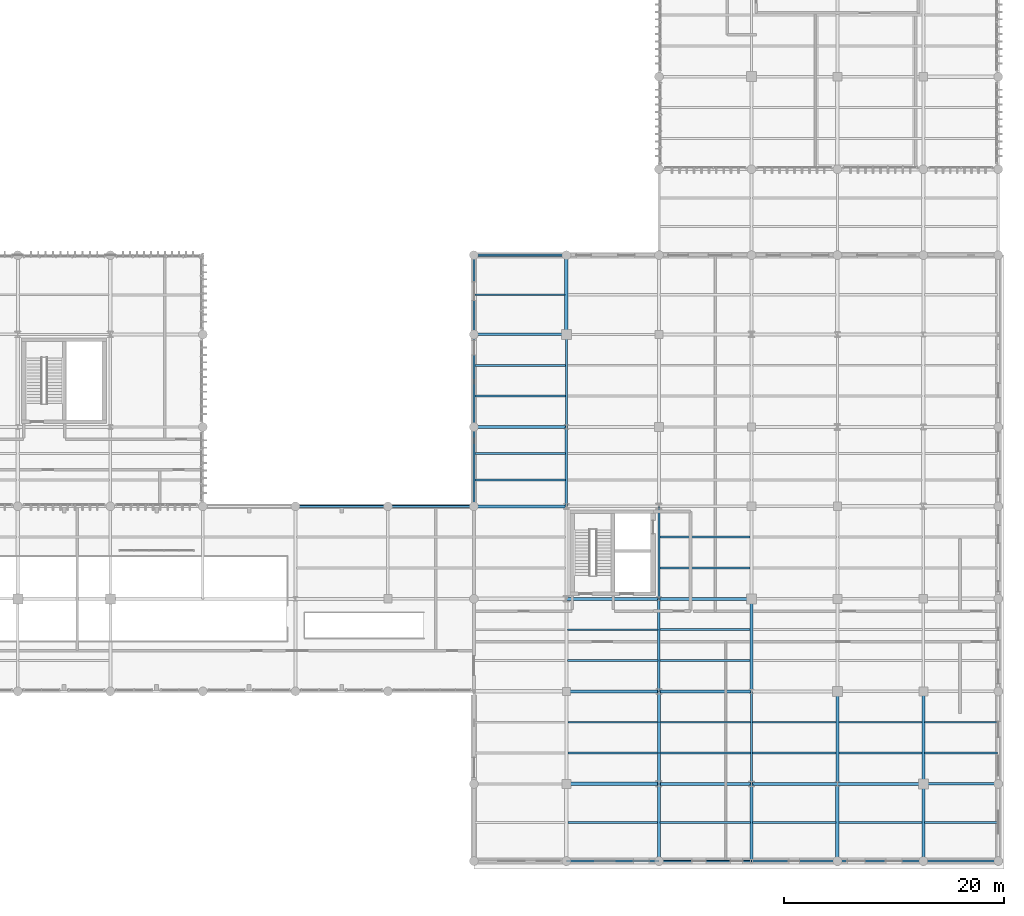
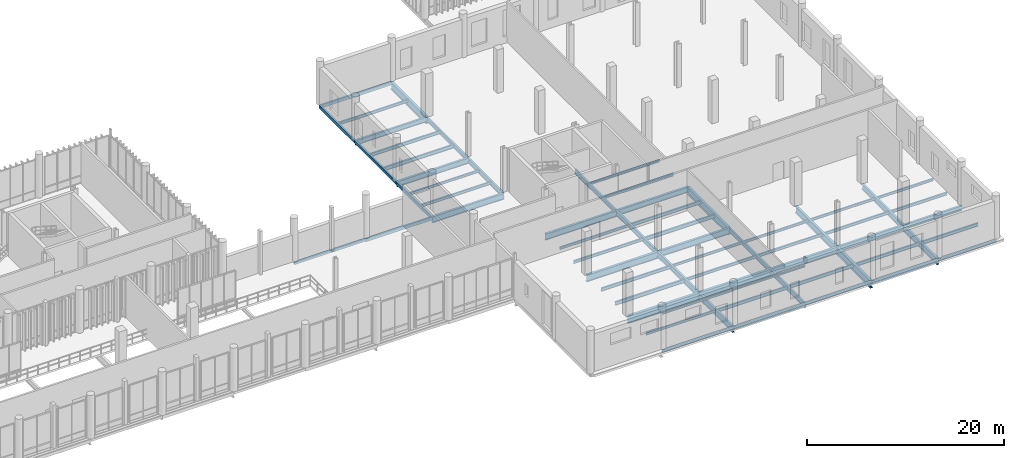
# One storey, part 69 of 128: 65 beams.
"""IFC4 building model written with IfcOpenShell, lengths in metres."""

from ifc_helpers import new_model, si_unit, direction, frame, origin_with_axes, origin_2d_with_axis, place, context, subcontext, project, spatial, hollow_rectangle, i_section, extrude, material, material_profile, profile_set, type_object, element, save


model = new_model("IFC4")

# Units and contexts
model_context = context("Model", 3, precision=1e-05, world=origin_with_axes(), true_north=direction((0.0, 1.0)))
body_context = subcontext(model_context, "Body", "Model", "MODEL_VIEW")
ifc_project = project(units=[si_unit("LENGTHUNIT", "METRE"), si_unit("AREAUNIT", "SQUARE_METRE"), si_unit("VOLUMEUNIT", "CUBIC_METRE"), si_unit("PLANEANGLEUNIT", "RADIAN"), si_unit("MASSUNIT", "GRAM", prefix="KILO"), si_unit("THERMODYNAMICTEMPERATUREUNIT", "KELVIN")], contexts=[model_context])

# Site, building, storey
site_placement = place(None, origin_with_axes())
site = spatial("IfcSite", under=ifc_project, at=site_placement, CompositionType="ELEMENT")
building_placement = place(site_placement, origin_with_axes())
building = spatial("IfcBuilding", under=site, at=building_placement, Name="Montbau Bow Law Courts", CompositionType="ELEMENT")
storey_placement = place(building_placement, frame((0.0, 0.0, 5.4), z_axis=(0.0, 0.0, 1.0), x_axis=(1.0, 0.0, 0.0)))
storey = spatial("IfcBuildingStorey", under=building, at=storey_placement, Name="L01", CompositionType="ELEMENT", Elevation=5.4)

# Beams
ifc_material_1 = material(Name="Steel CSA G40.21 Grade 350W (350 MPa)", Category="steel")
ifc_material_profile_1 = material_profile(ifc_material_1, i_section(OverallWidth=0.306, OverallDepth=0.919, WebThickness=0.0173, FlangeThickness=0.0279, at=origin_2d_with_axis()), Name="W920X253", Category="Main", Priority=0)
ifc_profile_set_1 = profile_set([ifc_material_profile_1], Name="Steel CSA G40.21 Grade 350W (350 MPa)")
beam_type_1 = type_object("IfcBeamType", Name="B-FLR-01", PredefinedType="BEAM", material=ifc_profile_set_1)
beam_1_placement = place(None, frame((130.2, 13.8, 4.7), z_axis=(1.0, 0.0, 0.0), x_axis=(0.0, 1.0, 0.0)))
element("IfcBeam", 1, at=beam_1_placement, inside=storey, type_object=beam_type_1, Name="BM-L01-S1446:bm2_1449", PredefinedType="BEAM", context=body_context, shape_type="SweptSolid", body=[
    extrude(i_section(OverallWidth=0.306, OverallDepth=0.919, WebThickness=0.0173, FlangeThickness=0.0279, at=origin_2d_with_axis()), origin_with_axes(), (0.0, 0.0, 1.0), 8.4),
])
beam_2_placement = place(None, frame((130.2, 54.6, 4.7), z_axis=(0.0, 1.0, 0.0), x_axis=(-1.0, 0.0, 0.0)))
element("IfcBeam", 2, at=beam_2_placement, inside=storey, type_object=beam_type_1, Name="BM-L01-S1494:bm2_1497", PredefinedType="BEAM", context=body_context, shape_type="SweptSolid", body=[
    extrude(i_section(OverallWidth=0.306, OverallDepth=0.919, WebThickness=0.0173, FlangeThickness=0.0279, at=origin_2d_with_axis()), origin_with_axes(), (0.0, 0.0, 1.0), 7.2),
])
beam_3_placement = place(None, frame((147.0, 22.2, 4.7), z_axis=(0.0, 1.0, 0.0), x_axis=(-1.0, 0.0, 0.0)))
element("IfcBeam", 3, at=beam_3_placement, inside=storey, type_object=beam_type_1, Name="BM-L01-S1504:bm2_1507", PredefinedType="BEAM", context=body_context, shape_type="SweptSolid", body=[
    extrude(i_section(OverallWidth=0.306, OverallDepth=0.919, WebThickness=0.0173, FlangeThickness=0.0279, at=origin_2d_with_axis()), origin_with_axes(), (0.0, 0.0, 1.0), 8.4),
])
beam_4_placement = place(None, frame((154.8, 6.8, 4.691), z_axis=(0.0, 1.0, 0.0), x_axis=(-1.0, 0.0, 0.0)))
element("IfcBeam", 4, at=beam_4_placement, inside=storey, type_object=beam_type_1, Name="BM-L01-S1509:bm2_1512", PredefinedType="BEAM", context=body_context, shape_type="SweptSolid", body=[
    extrude(i_section(OverallWidth=0.306, OverallDepth=0.919, WebThickness=0.0173, FlangeThickness=0.0279, at=origin_2d_with_axis()), origin_with_axes(), (0.0, 0.0, 1.0), 7.0),
])
ifc_material_profile_2 = material_profile(ifc_material_1, i_section(OverallWidth=0.293, OverallDepth=0.846, WebThickness=0.0154, FlangeThickness=0.0244, at=origin_2d_with_axis()), Name="W840X210", Category="Main", Priority=0)
ifc_profile_set_2 = profile_set([ifc_material_profile_2], Name="Steel CSA G40.21 Grade 350W (350 MPa)")
beam_type_2 = type_object("IfcBeamType", Name="B-FLR-02", PredefinedType="BEAM", material=ifc_profile_set_2)
for number, where, z_axis, x_axis, name in (
    (5, (138.6, 13.8, 4.737), (1.0, 0.0, 0.0), (0.0, 1.0, 0.0), "BM-L01-S1447:bm2_1450"),
    (6, (130.2, 22.2, 4.737), (1.0, 0.0, 0.0), (0.0, 1.0, 0.0), "BM-L01-S1452:bm2_1455"),
    (7, (154.8, 13.8, 4.737), (0.0, 1.0, 0.0), (-1.0, 0.0, 0.0), "BM-L01-S1510:bm2_1513"),
):
    element("IfcBeam", number, at=place(None, frame(where, z_axis=z_axis, x_axis=x_axis)), inside=storey, type_object=beam_type_2, Name=name, PredefinedType="BEAM", context=body_context, shape_type="SweptSolid", body=[
        extrude(i_section(OverallWidth=0.293, OverallDepth=0.846, WebThickness=0.0154, FlangeThickness=0.0244, at=origin_2d_with_axis()), origin_with_axes(), (0.0, 0.0, 1.0), 8.4),
    ])
ifc_material_profile_3 = material_profile(ifc_material_1, i_section(OverallWidth=0.267, OverallDepth=0.766, WebThickness=0.0149, FlangeThickness=0.0236, at=origin_2d_with_axis()), Name="W760X185", Category="Main", Priority=0)
ifc_profile_set_3 = profile_set([ifc_material_profile_3], Name="Steel CSA G40.21 Grade 350W (350 MPa)")
beam_type_3 = type_object("IfcBeamType", Name="B-FLR-03", PredefinedType="BEAM", material=ifc_profile_set_3)
beam_5_placement = place(None, frame((147.0, 13.8, 4.777), z_axis=(1.0, 0.0, 0.0), x_axis=(0.0, 1.0, 0.0)))
element("IfcBeam", 8, at=beam_5_placement, inside=storey, type_object=beam_type_3, Name="BM-L01-S1448:bm2_1451", PredefinedType="BEAM", context=body_context, shape_type="SweptSolid", body=[
    extrude(i_section(OverallWidth=0.267, OverallDepth=0.766, WebThickness=0.0149, FlangeThickness=0.0236, at=origin_2d_with_axis()), origin_with_axes(), (0.0, 0.0, 1.0), 7.8),
])
for number, where, z_axis, x_axis, name in (
    (9, (138.6, 22.2, 4.777), (1.0, 0.0, 0.0), (0.0, 1.0, 0.0), "BM-L01-S1453:bm2_1456"),
    (10, (130.2, 30.6, 4.777), (1.0, 0.0, 0.0), (0.0, 1.0, 0.0), "BM-L01-S1458:bm2_1461"),
    (11, (121.8, 39.0, 4.777), (1.0, 0.0, 0.0), (0.0, 1.0, 0.0), "BM-L01-S1463:bm2_1466"),
):
    element("IfcBeam", number, at=place(None, frame(where, z_axis=z_axis, x_axis=x_axis)), inside=storey, type_object=beam_type_3, Name=name, PredefinedType="BEAM", context=body_context, shape_type="SweptSolid", body=[
        extrude(i_section(OverallWidth=0.267, OverallDepth=0.766, WebThickness=0.0149, FlangeThickness=0.0236, at=origin_2d_with_axis()), origin_with_axes(), (0.0, 0.0, 1.0), 8.4),
    ])
for number, where, z_axis, x_axis, name in (
    (12, (138.6, 6.8, 4.767), (0.0, 1.0, 0.0), (-1.0, 0.0, 0.0), "BM-L01-S1495:bm2_1498"),
    (13, (162.6, 6.8, 4.767), (0.0, 1.0, 0.0), (-1.0, 0.0, 0.0), "BM-L01-S1516:bm2_1519"),
):
    element("IfcBeam", number, at=place(None, frame(where, z_axis=z_axis, x_axis=x_axis)), inside=storey, type_object=beam_type_3, Name=name, PredefinedType="BEAM", context=body_context, shape_type="SweptSolid", body=[
        extrude(i_section(OverallWidth=0.267, OverallDepth=0.766, WebThickness=0.0149, FlangeThickness=0.0236, at=origin_2d_with_axis()), origin_with_axes(), (0.0, 0.0, 1.0), 7.0),
    ])
ifc_material_profile_4 = material_profile(ifc_material_1, i_section(OverallWidth=0.254, OverallDepth=0.688, WebThickness=0.0131, FlangeThickness=0.0211, at=origin_2d_with_axis()), Name="W690X152", Category="Main", Priority=0)
ifc_profile_set_4 = profile_set([ifc_material_profile_4], Name="Steel CSA G40.21 Grade 350W (350 MPa)")
beam_type_4 = type_object("IfcBeamType", Name="B-FLR-04", PredefinedType="BEAM", material=ifc_profile_set_4)
beam_6_placement = place(None, frame((154.8, 13.8, 4.816), z_axis=(1.0, 0.0, 0.0), x_axis=(0.0, 1.0, 0.0)))
element("IfcBeam", 14, at=beam_6_placement, inside=storey, type_object=beam_type_4, Name="BM-L01-S1449:bm2_1452", PredefinedType="BEAM", context=body_context, shape_type="SweptSolid", body=[
    extrude(i_section(OverallWidth=0.254, OverallDepth=0.688, WebThickness=0.0131, FlangeThickness=0.0211, at=origin_2d_with_axis()), origin_with_axes(), (0.0, 0.0, 1.0), 7.8),
])
for number, where, z_axis, x_axis, name in (
    (15, (138.6, 30.6, 4.816), (1.0, 0.0, 0.0), (0.0, 1.0, 0.0), "BM-L01-S1459:bm2_1462"),
    (16, (121.8, 46.2, 4.816), (1.0, 0.0, 0.0), (0.0, 1.0, 0.0), "BM-L01-S1469:bm2_1472"),
    (17, (138.6, 13.8, 4.816), (0.0, 1.0, 0.0), (-1.0, 0.0, 0.0), "BM-L01-S1496:bm2_1499"),
    (18, (162.6, 13.8, 4.816), (0.0, 1.0, 0.0), (-1.0, 0.0, 0.0), "BM-L01-S1517:bm2_1520"),
):
    element("IfcBeam", number, at=place(None, frame(where, z_axis=z_axis, x_axis=x_axis)), inside=storey, type_object=beam_type_4, Name=name, PredefinedType="BEAM", context=body_context, shape_type="SweptSolid", body=[
        extrude(i_section(OverallWidth=0.254, OverallDepth=0.688, WebThickness=0.0131, FlangeThickness=0.0211, at=origin_2d_with_axis()), origin_with_axes(), (0.0, 0.0, 1.0), 8.4),
    ])
ifc_material_profile_5 = material_profile(ifc_material_1, i_section(OverallWidth=0.229, OverallDepth=0.612, WebThickness=0.0119, FlangeThickness=0.0196, at=origin_2d_with_axis()), Name="W610X125", Category="Main", Priority=0)
ifc_profile_set_5 = profile_set([ifc_material_profile_5], Name="Steel CSA G40.21 Grade 350W (350 MPa)")
beam_type_5 = type_object("IfcBeamType", Name="B-FLR-05", PredefinedType="BEAM", material=ifc_profile_set_5)
beam_7_placement = place(None, frame((162.6, 13.8, 4.844), z_axis=(1.0, 0.0, 0.0), x_axis=(0.0, 1.0, 0.0)))
element("IfcBeam", 19, at=beam_7_placement, inside=storey, type_object=beam_type_5, Name="BM-L01-S1450:bm2_1453", PredefinedType="BEAM", context=body_context, shape_type="SweptSolid", body=[
    extrude(i_section(OverallWidth=0.229, OverallDepth=0.612, WebThickness=0.0119, FlangeThickness=0.0196, at=origin_2d_with_axis()), origin_with_axes(), (0.0, 0.0, 1.0), 6.8),
])
beam_8_placement = place(None, frame((121.8, 54.6, 4.854), z_axis=(1.0, 0.0, 0.0), x_axis=(0.0, 1.0, 0.0)))
element("IfcBeam", 20, at=beam_8_placement, inside=storey, type_object=beam_type_5, Name="BM-L01-S1475:bm2_1478", PredefinedType="BEAM", context=body_context, shape_type="SweptSolid", body=[
    extrude(i_section(OverallWidth=0.229, OverallDepth=0.612, WebThickness=0.0119, FlangeThickness=0.0196, at=origin_2d_with_axis()), origin_with_axes(), (0.0, 0.0, 1.0), 8.4),
])
beam_9_placement = place(None, frame((130.2, 39.0, 4.854), z_axis=(0.0, 1.0, 0.0), x_axis=(-1.0, 0.0, 0.0)))
element("IfcBeam", 21, at=beam_9_placement, inside=storey, type_object=beam_type_5, Name="BM-L01-S1492:bm2_1495", PredefinedType="BEAM", context=body_context, shape_type="SweptSolid", body=[
    extrude(i_section(OverallWidth=0.229, OverallDepth=0.612, WebThickness=0.0119, FlangeThickness=0.0196, at=origin_2d_with_axis()), origin_with_axes(), (0.0, 0.0, 1.0), 7.2),
])
beam_10_placement = place(None, frame((138.6, 22.2, 4.854), z_axis=(0.0, 1.0, 0.0), x_axis=(-1.0, 0.0, 0.0)))
element("IfcBeam", 22, at=beam_10_placement, inside=storey, type_object=beam_type_5, Name="BM-L01-S1497:bm2_1500", PredefinedType="BEAM", context=body_context, shape_type="SweptSolid", body=[
    extrude(i_section(OverallWidth=0.229, OverallDepth=0.612, WebThickness=0.0119, FlangeThickness=0.0196, at=origin_2d_with_axis()), origin_with_axes(), (0.0, 0.0, 1.0), 8.4),
])
beam_11_placement = place(None, frame((147.0, 6.8, 4.844), z_axis=(0.0, 1.0, 0.0), x_axis=(-1.0, 0.0, 0.0)))
element("IfcBeam", 23, at=beam_11_placement, inside=storey, type_object=beam_type_5, Name="BM-L01-S1502:bm2_1505", PredefinedType="BEAM", context=body_context, shape_type="SweptSolid", body=[
    extrude(i_section(OverallWidth=0.229, OverallDepth=0.612, WebThickness=0.0119, FlangeThickness=0.0196, at=origin_2d_with_axis()), origin_with_axes(), (0.0, 0.0, 1.0), 7.0),
])
ifc_material_profile_6 = material_profile(ifc_material_1, i_section(OverallWidth=0.21, OverallDepth=0.537, WebThickness=0.0109, FlangeThickness=0.0174, at=origin_2d_with_axis()), Name="W530X101", Category="Main", Priority=0)
ifc_profile_set_6 = profile_set([ifc_material_profile_6], Name="Steel CSA G40.21 Grade 350W (350 MPa)")
beam_type_6 = type_object("IfcBeamType", Name="B-FLR-06", PredefinedType="BEAM", material=ifc_profile_set_6)
for number, where, z_axis, x_axis, name in (
    (24, (130.2, 46.2, 4.891), (0.0, 1.0, 0.0), (-1.0, 0.0, 0.0), "BM-L01-S1493:bm2_1496"),
    (25, (138.6, 30.6, 4.891), (0.0, 1.0, 0.0), (-1.0, 0.0, 0.0), "BM-L01-S1498:bm2_1501"),
    (26, (147.0, 13.8, 4.891), (0.0, 1.0, 0.0), (-1.0, 0.0, 0.0), "BM-L01-S1503:bm2_1506"),
):
    element("IfcBeam", number, at=place(None, frame(where, z_axis=z_axis, x_axis=x_axis)), inside=storey, type_object=beam_type_6, Name=name, PredefinedType="BEAM", context=body_context, shape_type="SweptSolid", body=[
        extrude(i_section(OverallWidth=0.21, OverallDepth=0.537, WebThickness=0.0109, FlangeThickness=0.0174, at=origin_2d_with_axis()), origin_with_axes(), (0.0, 0.0, 1.0), 8.4),
    ])
ifc_material_profile_7 = material_profile(ifc_material_1, i_section(OverallWidth=0.191, OverallDepth=0.46, WebThickness=0.0099, FlangeThickness=0.016, at=origin_2d_with_axis()), Name="W460X82", Category="Main", Priority=0)
ifc_profile_set_7 = profile_set([ifc_material_profile_7], Name="Steel CSA G40.21 Grade 350W (350 MPa)")
beam_type_7 = type_object("IfcBeamType", Name="B-JST-01", PredefinedType="JOIST", material=ifc_profile_set_7)
beam_12_placement = place(None, frame((121.88, 49.0, 4.93), z_axis=(1.0, 0.0, 0.0), x_axis=(0.0, 1.0, 0.0)))
element("IfcBeam", 27, at=beam_12_placement, inside=storey, type_object=beam_type_7, Name="JST-L01-S0816:jst2_0816", PredefinedType="JOIST", context=body_context, shape_type="SweptSolid", body=[
    extrude(i_section(OverallWidth=0.191, OverallDepth=0.46, WebThickness=0.0099, FlangeThickness=0.016, at=origin_2d_with_axis()), origin_with_axes(), (0.0, 0.0, 1.0), 8.239),
])
beam_13_placement = place(None, frame((130.322, 16.6, 4.93), z_axis=(1.0, 0.0, 0.0), x_axis=(0.0, 1.0, 0.0)))
element("IfcBeam", 28, at=beam_13_placement, inside=storey, type_object=beam_type_7, Name="JST-L01-S0820:jst2_0820", PredefinedType="JOIST", context=body_context, shape_type="SweptSolid", body=[
    extrude(i_section(OverallWidth=0.191, OverallDepth=0.46, WebThickness=0.0099, FlangeThickness=0.016, at=origin_2d_with_axis()), origin_with_axes(), (0.0, 0.0, 1.0), 8.175),
])
beam_14_placement = place(None, frame((138.69, 25.0, 4.93), z_axis=(1.0, 0.0, 0.0), x_axis=(0.0, 1.0, 0.0)))
element("IfcBeam", 29, at=beam_14_placement, inside=storey, type_object=beam_type_7, Name="JST-L01-S0832:jst2_0832", PredefinedType="JOIST", context=body_context, shape_type="SweptSolid", body=[
    extrude(i_section(OverallWidth=0.191, OverallDepth=0.46, WebThickness=0.0099, FlangeThickness=0.016, at=origin_2d_with_axis()), origin_with_axes(), (0.0, 0.0, 1.0), 8.181),
])
ifc_material_profile_8 = material_profile(ifc_material_1, i_section(OverallWidth=0.179, OverallDepth=0.41, WebThickness=0.0088, FlangeThickness=0.0144, at=origin_2d_with_axis()), Name="W410X67", Category="Main", Priority=0)
ifc_profile_set_8 = profile_set([ifc_material_profile_8], Name="Steel CSA G40.21 Grade 350W (350 MPa)")
beam_type_8 = type_object("IfcBeamType", Name="B-JST-02", PredefinedType="JOIST", material=ifc_profile_set_8)
beam_15_placement = place(None, frame((121.88, 51.8, 4.955), z_axis=(1.0, 0.0, 0.0), x_axis=(0.0, 1.0, 0.0)))
element("IfcBeam", 30, at=beam_15_placement, inside=storey, type_object=beam_type_8, Name="JST-L01-S0817:jst2_0817", PredefinedType="JOIST", context=body_context, shape_type="SweptSolid", body=[
    extrude(i_section(OverallWidth=0.179, OverallDepth=0.41, WebThickness=0.0088, FlangeThickness=0.0144, at=origin_2d_with_axis()), origin_with_axes(), (0.0, 0.0, 1.0), 8.239),
])
beam_16_placement = place(None, frame((130.322, 19.4, 4.955), z_axis=(1.0, 0.0, 0.0), x_axis=(0.0, 1.0, 0.0)))
element("IfcBeam", 31, at=beam_16_placement, inside=storey, type_object=beam_type_8, Name="JST-L01-S0821:jst2_0821", PredefinedType="JOIST", context=body_context, shape_type="SweptSolid", body=[
    extrude(i_section(OverallWidth=0.179, OverallDepth=0.41, WebThickness=0.0088, FlangeThickness=0.0144, at=origin_2d_with_axis()), origin_with_axes(), (0.0, 0.0, 1.0), 8.175),
])
beam_17_placement = place(None, frame((138.709, 10.3, 4.945), z_axis=(1.0, 0.0, 0.0), x_axis=(0.0, 1.0, 0.0)))
element("IfcBeam", 32, at=beam_17_placement, inside=storey, type_object=beam_type_8, Name="JST-L01-S0829:jst2_0829", PredefinedType="JOIST", context=body_context, shape_type="SweptSolid", body=[
    extrude(i_section(OverallWidth=0.179, OverallDepth=0.41, WebThickness=0.0088, FlangeThickness=0.0144, at=origin_2d_with_axis()), origin_with_axes(), (0.0, 0.0, 1.0), 8.201),
])
beam_18_placement = place(None, frame((138.69, 27.8, 4.955), z_axis=(1.0, 0.0, 0.0), x_axis=(0.0, 1.0, 0.0)))
element("IfcBeam", 33, at=beam_18_placement, inside=storey, type_object=beam_type_8, Name="JST-L01-S0833:jst2_0833", PredefinedType="JOIST", context=body_context, shape_type="SweptSolid", body=[
    extrude(i_section(OverallWidth=0.179, OverallDepth=0.41, WebThickness=0.0088, FlangeThickness=0.0144, at=origin_2d_with_axis()), origin_with_axes(), (0.0, 0.0, 1.0), 8.181),
])
beam_19_placement = place(None, frame((147.09, 10.3, 4.945), z_axis=(1.0, 0.0, 0.0), x_axis=(0.0, 1.0, 0.0)))
element("IfcBeam", 34, at=beam_19_placement, inside=storey, type_object=beam_type_8, Name="JST-L01-S0841:jst2_0841", PredefinedType="JOIST", context=body_context, shape_type="SweptSolid", body=[
    extrude(i_section(OverallWidth=0.179, OverallDepth=0.41, WebThickness=0.0088, FlangeThickness=0.0144, at=origin_2d_with_axis()), origin_with_axes(), (0.0, 0.0, 1.0), 7.581),
])
beam_20_placement = place(None, frame((154.929, 10.3, 4.945), z_axis=(1.0, 0.0, 0.0), x_axis=(0.0, 1.0, 0.0)))
element("IfcBeam", 35, at=beam_20_placement, inside=storey, type_object=beam_type_8, Name="JST-L01-S0853:jst2_0853", PredefinedType="JOIST", context=body_context, shape_type="SweptSolid", body=[
    extrude(i_section(OverallWidth=0.179, OverallDepth=0.41, WebThickness=0.0088, FlangeThickness=0.0144, at=origin_2d_with_axis()), origin_with_axes(), (0.0, 0.0, 1.0), 7.561),
])
beam_21_placement = place(None, frame((162.709, 10.3, 4.945), z_axis=(1.0, 0.0, 0.0), x_axis=(0.0, 1.0, 0.0)))
element("IfcBeam", 36, at=beam_21_placement, inside=storey, type_object=beam_type_8, Name="JST-L01-S0865:jst2_0865", PredefinedType="JOIST", context=body_context, shape_type="SweptSolid", body=[
    extrude(i_section(OverallWidth=0.179, OverallDepth=0.41, WebThickness=0.0088, FlangeThickness=0.0144, at=origin_2d_with_axis()), origin_with_axes(), (0.0, 0.0, 1.0), 6.611),
])
ifc_material_profile_9 = material_profile(ifc_material_1, i_section(OverallWidth=0.172, OverallDepth=0.358, WebThickness=0.0079, FlangeThickness=0.0131, at=origin_2d_with_axis()), Name="W360X57", Category="Main", Priority=0)
ifc_profile_set_9 = profile_set([ifc_material_profile_9], Name="Steel CSA G40.21 Grade 350W (350 MPa)")
beam_type_9 = type_object("IfcBeamType", Name="B-JST-03", PredefinedType="JOIST", material=ifc_profile_set_9)
beam_22_placement = place(None, frame((121.88, 41.4, 4.981), z_axis=(1.0, 0.0, 0.0), x_axis=(0.0, 1.0, 0.0)))
element("IfcBeam", 37, at=beam_22_placement, inside=storey, type_object=beam_type_9, Name="JST-L01-S0814:jst2_0814", PredefinedType="JOIST", context=body_context, shape_type="SweptSolid", body=[
    extrude(i_section(OverallWidth=0.172, OverallDepth=0.358, WebThickness=0.0079, FlangeThickness=0.0131, at=origin_2d_with_axis()), origin_with_axes(), (0.0, 0.0, 1.0), 8.229),
])
beam_23_placement = place(None, frame((121.88, 58.2, 4.981), z_axis=(1.0, 0.0, 0.0), x_axis=(0.0, 1.0, 0.0)))
element("IfcBeam", 38, at=beam_23_placement, inside=storey, type_object=beam_type_9, Name="JST-L01-S0818:jst2_0818", PredefinedType="JOIST", context=body_context, shape_type="SweptSolid", body=[
    extrude(i_section(OverallWidth=0.172, OverallDepth=0.358, WebThickness=0.0079, FlangeThickness=0.0131, at=origin_2d_with_axis()), origin_with_axes(), (0.0, 0.0, 1.0), 8.191),
])
beam_24_placement = place(None, frame((130.309, 25.0, 4.981), z_axis=(1.0, 0.0, 0.0), x_axis=(0.0, 1.0, 0.0)))
element("IfcBeam", 39, at=beam_24_placement, inside=storey, type_object=beam_type_9, Name="JST-L01-S0822:jst2_0822", PredefinedType="JOIST", context=body_context, shape_type="SweptSolid", body=[
    extrude(i_section(OverallWidth=0.172, OverallDepth=0.358, WebThickness=0.0079, FlangeThickness=0.0131, at=origin_2d_with_axis()), origin_with_axes(), (0.0, 0.0, 1.0), 8.201),
])
beam_25_placement = place(None, frame((138.703, 16.6, 4.981), z_axis=(1.0, 0.0, 0.0), x_axis=(0.0, 1.0, 0.0)))
element("IfcBeam", 40, at=beam_25_placement, inside=storey, type_object=beam_type_9, Name="JST-L01-S0830:jst2_0830", PredefinedType="JOIST", context=body_context, shape_type="SweptSolid", body=[
    extrude(i_section(OverallWidth=0.172, OverallDepth=0.358, WebThickness=0.0079, FlangeThickness=0.0131, at=origin_2d_with_axis()), origin_with_axes(), (0.0, 0.0, 1.0), 8.216),
])
beam_26_placement = place(None, frame((138.681, 33.4, 4.981), z_axis=(1.0, 0.0, 0.0), x_axis=(0.0, 1.0, 0.0)))
element("IfcBeam", 41, at=beam_26_placement, inside=storey, type_object=beam_type_9, Name="JST-L01-S0834:jst2_0834", PredefinedType="JOIST", context=body_context, shape_type="SweptSolid", body=[
    extrude(i_section(OverallWidth=0.172, OverallDepth=0.358, WebThickness=0.0079, FlangeThickness=0.0131, at=origin_2d_with_axis()), origin_with_axes(), (0.0, 0.0, 1.0), 8.196),
])
beam_27_placement = place(None, frame((147.081, 16.6, 4.981), z_axis=(1.0, 0.0, 0.0), x_axis=(0.0, 1.0, 0.0)))
element("IfcBeam", 42, at=beam_27_placement, inside=storey, type_object=beam_type_9, Name="JST-L01-S0842:jst2_0842", PredefinedType="JOIST", context=body_context, shape_type="SweptSolid", body=[
    extrude(i_section(OverallWidth=0.172, OverallDepth=0.358, WebThickness=0.0079, FlangeThickness=0.0131, at=origin_2d_with_axis()), origin_with_axes(), (0.0, 0.0, 1.0), 7.597),
])
beam_28_placement = place(None, frame((154.923, 16.6, 4.981), z_axis=(1.0, 0.0, 0.0), x_axis=(0.0, 1.0, 0.0)))
element("IfcBeam", 43, at=beam_28_placement, inside=storey, type_object=beam_type_9, Name="JST-L01-S0854:jst2_0854", PredefinedType="JOIST", context=body_context, shape_type="SweptSolid", body=[
    extrude(i_section(OverallWidth=0.172, OverallDepth=0.358, WebThickness=0.0079, FlangeThickness=0.0131, at=origin_2d_with_axis()), origin_with_axes(), (0.0, 0.0, 1.0), 7.574),
])
beam_29_placement = place(None, frame((162.703, 16.6, 4.971), z_axis=(1.0, 0.0, 0.0), x_axis=(0.0, 1.0, 0.0)))
element("IfcBeam", 44, at=beam_29_placement, inside=storey, type_object=beam_type_9, Name="JST-L01-S0866:jst2_0866", PredefinedType="JOIST", context=body_context, shape_type="SweptSolid", body=[
    extrude(i_section(OverallWidth=0.172, OverallDepth=0.358, WebThickness=0.0079, FlangeThickness=0.0131, at=origin_2d_with_axis()), origin_with_axes(), (0.0, 0.0, 1.0), 6.617),
])
ifc_material_profile_10 = material_profile(ifc_material_1, i_section(OverallWidth=0.166, OverallDepth=0.313, WebThickness=0.0066, FlangeThickness=0.0112, at=origin_2d_with_axis()), Name="W310X45", Category="Main", Priority=0)
ifc_profile_set_10 = profile_set([ifc_material_profile_10], Name="Steel CSA G40.21 Grade 350W (350 MPa)")
beam_type_10 = type_object("IfcBeamType", Name="B-JST-04", PredefinedType="JOIST", material=ifc_profile_set_10)
beam_30_placement = place(None, frame((121.88, 43.8, 5.003), z_axis=(1.0, 0.0, 0.0), x_axis=(0.0, 1.0, 0.0)))
element("IfcBeam", 45, at=beam_30_placement, inside=storey, type_object=beam_type_10, Name="JST-L01-S0815:jst2_0815", PredefinedType="JOIST", context=body_context, shape_type="SweptSolid", body=[
    extrude(i_section(OverallWidth=0.166, OverallDepth=0.313, WebThickness=0.0066, FlangeThickness=0.0112, at=origin_2d_with_axis()), origin_with_axes(), (0.0, 0.0, 1.0), 8.229),
])
beam_31_placement = place(None, frame((130.329, 10.3, 4.994), z_axis=(1.0, 0.0, 0.0), x_axis=(0.0, 1.0, 0.0)))
element("IfcBeam", 46, at=beam_31_placement, inside=storey, type_object=beam_type_10, Name="JST-L01-S0819:jst2_0819", PredefinedType="JOIST", context=body_context, shape_type="SweptSolid", body=[
    extrude(i_section(OverallWidth=0.166, OverallDepth=0.313, WebThickness=0.0066, FlangeThickness=0.0112, at=origin_2d_with_axis()), origin_with_axes(), (0.0, 0.0, 1.0), 8.161),
])
beam_32_placement = place(None, frame((130.309, 27.8, 5.003), z_axis=(1.0, 0.0, 0.0), x_axis=(0.0, 1.0, 0.0)))
element("IfcBeam", 47, at=beam_32_placement, inside=storey, type_object=beam_type_10, Name="JST-L01-S0823:jst2_0823", PredefinedType="JOIST", context=body_context, shape_type="SweptSolid", body=[
    extrude(i_section(OverallWidth=0.166, OverallDepth=0.313, WebThickness=0.0066, FlangeThickness=0.0112, at=origin_2d_with_axis()), origin_with_axes(), (0.0, 0.0, 1.0), 8.201),
])
beam_33_placement = place(None, frame((138.703, 19.4, 5.003), z_axis=(1.0, 0.0, 0.0), x_axis=(0.0, 1.0, 0.0)))
element("IfcBeam", 48, at=beam_33_placement, inside=storey, type_object=beam_type_10, Name="JST-L01-S0831:jst2_0831", PredefinedType="JOIST", context=body_context, shape_type="SweptSolid", body=[
    extrude(i_section(OverallWidth=0.166, OverallDepth=0.313, WebThickness=0.0066, FlangeThickness=0.0112, at=origin_2d_with_axis()), origin_with_axes(), (0.0, 0.0, 1.0), 8.216),
])
beam_34_placement = place(None, frame((138.681, 36.2, 5.003), z_axis=(1.0, 0.0, 0.0), x_axis=(0.0, 1.0, 0.0)))
element("IfcBeam", 49, at=beam_34_placement, inside=storey, type_object=beam_type_10, Name="JST-L01-S0835:jst2_0835", PredefinedType="JOIST", context=body_context, shape_type="SweptSolid", body=[
    extrude(i_section(OverallWidth=0.166, OverallDepth=0.313, WebThickness=0.0066, FlangeThickness=0.0112, at=origin_2d_with_axis()), origin_with_axes(), (0.0, 0.0, 1.0), 8.196),
])
beam_35_placement = place(None, frame((147.081, 19.4, 5.003), z_axis=(1.0, 0.0, 0.0), x_axis=(0.0, 1.0, 0.0)))
element("IfcBeam", 50, at=beam_35_placement, inside=storey, type_object=beam_type_10, Name="JST-L01-S0843:jst2_0843", PredefinedType="JOIST", context=body_context, shape_type="SweptSolid", body=[
    extrude(i_section(OverallWidth=0.166, OverallDepth=0.313, WebThickness=0.0066, FlangeThickness=0.0112, at=origin_2d_with_axis()), origin_with_axes(), (0.0, 0.0, 1.0), 7.597),
])
beam_36_placement = place(None, frame((154.923, 19.4, 5.003), z_axis=(1.0, 0.0, 0.0), x_axis=(0.0, 1.0, 0.0)))
element("IfcBeam", 51, at=beam_36_placement, inside=storey, type_object=beam_type_10, Name="JST-L01-S0855:jst2_0855", PredefinedType="JOIST", context=body_context, shape_type="SweptSolid", body=[
    extrude(i_section(OverallWidth=0.166, OverallDepth=0.313, WebThickness=0.0066, FlangeThickness=0.0112, at=origin_2d_with_axis()), origin_with_axes(), (0.0, 0.0, 1.0), 7.574),
])
beam_37_placement = place(None, frame((162.703, 19.4, 4.994), z_axis=(1.0, 0.0, 0.0), x_axis=(0.0, 1.0, 0.0)))
element("IfcBeam", 52, at=beam_37_placement, inside=storey, type_object=beam_type_10, Name="JST-L01-S0867:jst2_0867", PredefinedType="JOIST", context=body_context, shape_type="SweptSolid", body=[
    extrude(i_section(OverallWidth=0.166, OverallDepth=0.313, WebThickness=0.0066, FlangeThickness=0.0112, at=origin_2d_with_axis()), origin_with_axes(), (0.0, 0.0, 1.0), 6.617),
])
ifc_material_profile_11 = material_profile(ifc_material_1, i_section(OverallWidth=0.147, OverallDepth=0.262, WebThickness=0.0066, FlangeThickness=0.0112, at=origin_2d_with_axis()), Name="W250X39", Category="Main", Priority=0)
ifc_profile_set_11 = profile_set([ifc_material_profile_11], Name="Steel CSA G40.21 Grade 350W (350 MPa)")
beam_type_11 = type_object("IfcBeamType", Name="B-LNT-01", PredefinedType="LINTEL", material=ifc_profile_set_11)
beam_38_placement = place(None, frame((130.2, 6.8, 9.7), z_axis=(1.0, 0.0, 0.0), x_axis=(0.0, 1.0, 0.0)))
element("IfcBeam", 53, at=beam_38_placement, inside=storey, type_object=beam_type_11, Name="LNT-L01-11:lnt_0011", PredefinedType="LINTEL", context=body_context, shape_type="SweptSolid", body=[
    extrude(i_section(OverallWidth=0.147, OverallDepth=0.262, WebThickness=0.0066, FlangeThickness=0.0112, at=origin_2d_with_axis()), origin_with_axes(), (0.0, 0.0, 1.0), 8.4),
])
ifc_material_profile_12 = material_profile(ifc_material_1, i_section(OverallWidth=0.134, OverallDepth=0.21, WebThickness=0.0064, FlangeThickness=0.0102, at=origin_2d_with_axis()), Name="W200X31", Category="Main", Priority=0)
ifc_profile_set_12 = profile_set([ifc_material_profile_12], Name="Steel CSA G40.21 Grade 350W (350 MPa)")
beam_type_12 = type_object("IfcBeamType", Name="B-LNT-02", PredefinedType="LINTEL", material=ifc_profile_set_12)
beam_39_placement = place(None, frame((138.6, 6.8, 9.7), z_axis=(1.0, 0.0, 0.0), x_axis=(0.0, 1.0, 0.0)))
element("IfcBeam", 54, at=beam_39_placement, inside=storey, type_object=beam_type_12, Name="LNT-L01-12:lnt_0012", PredefinedType="LINTEL", context=body_context, shape_type="SweptSolid", body=[
    extrude(i_section(OverallWidth=0.134, OverallDepth=0.21, WebThickness=0.0064, FlangeThickness=0.0102, at=origin_2d_with_axis()), origin_with_axes(), (0.0, 0.0, 1.0), 8.4),
])
ifc_material_2 = material(Name="Steel CSA G40.21 Grade 350WT (350 MPa)", Category="steel")
ifc_material_profile_13 = material_profile(ifc_material_2, hollow_rectangle(XDim=0.203, YDim=0.406, WallThickness=0.0127, InnerFilletRadius=0.0254, OuterFilletRadius=0.0127, at=origin_2d_with_axis()), Name="HSS406X203X13", Category="Main", Priority=0)
ifc_profile_set_13 = profile_set([ifc_material_profile_13], Name="Steel CSA G40.21 Grade 350WT (350 MPa)")
beam_type_13 = type_object("IfcBeamType", Name="B-SPN-01", PredefinedType="SPANDREL", material=ifc_profile_set_13)
beam_40_placement = place(None, frame((114.0, 39.0, 4.957), z_axis=(1.0, 0.0, 0.0), x_axis=(0.0, 1.0, 0.0)))
element("IfcBeam", 55, at=beam_40_placement, inside=storey, type_object=beam_type_13, Name="SPN-L01-S1081:bm2_1084", PredefinedType="SPANDREL", context=body_context, shape_type="SweptSolid", body=[
    extrude(hollow_rectangle(XDim=0.203, YDim=0.406, WallThickness=0.0127, InnerFilletRadius=0.0254, OuterFilletRadius=0.0127, at=origin_2d_with_axis()), origin_with_axes(), (0.0, 0.0, 1.0), 7.8),
])
beam_41_placement = place(None, frame((138.6, 6.8, 4.947), z_axis=(1.0, 0.0, 0.0), x_axis=(0.0, 1.0, 0.0)))
element("IfcBeam", 56, at=beam_41_placement, inside=storey, type_object=beam_type_13, Name="SPN-L01-S1441:bm2_1444", PredefinedType="SPANDREL", context=body_context, shape_type="SweptSolid", body=[
    extrude(hollow_rectangle(XDim=0.203, YDim=0.406, WallThickness=0.0127, InnerFilletRadius=0.0254, OuterFilletRadius=0.0127, at=origin_2d_with_axis()), origin_with_axes(), (0.0, 0.0, 1.0), 8.4),
])
beam_42_placement = place(None, frame((154.8, 6.8, 4.947), z_axis=(1.0, 0.0, 0.0), x_axis=(0.0, 1.0, 0.0)))
element("IfcBeam", 57, at=beam_42_placement, inside=storey, type_object=beam_type_13, Name="SPN-L01-S1443:bm2_1446", PredefinedType="SPANDREL", context=body_context, shape_type="SweptSolid", body=[
    extrude(hollow_rectangle(XDim=0.203, YDim=0.406, WallThickness=0.0127, InnerFilletRadius=0.0254, OuterFilletRadius=0.0127, at=origin_2d_with_axis()), origin_with_axes(), (0.0, 0.0, 1.0), 7.8),
])
beam_43_placement = place(None, frame((121.8, 61.8, 4.957), z_axis=(1.0, 0.0, 0.0), x_axis=(0.0, 1.0, 0.0)))
element("IfcBeam", 58, at=beam_43_placement, inside=storey, type_object=beam_type_13, Name="SPN-L01-S1481:bm2_1484", PredefinedType="SPANDREL", context=body_context, shape_type="SweptSolid", body=[
    extrude(hollow_rectangle(XDim=0.203, YDim=0.406, WallThickness=0.0127, InnerFilletRadius=0.0254, OuterFilletRadius=0.0127, at=origin_2d_with_axis()), origin_with_axes(), (0.0, 0.0, 1.0), 8.4),
])
beam_44_placement = place(None, frame((121.8, 39.0, 4.957), z_axis=(0.0, 1.0, 0.0), x_axis=(-1.0, 0.0, 0.0)))
element("IfcBeam", 59, at=beam_44_placement, inside=storey, type_object=beam_type_13, Name="SPN-L01-S1485:bm2_1488", PredefinedType="SPANDREL", context=body_context, shape_type="SweptSolid", body=[
    extrude(hollow_rectangle(XDim=0.203, YDim=0.406, WallThickness=0.0127, InnerFilletRadius=0.0254, OuterFilletRadius=0.0127, at=origin_2d_with_axis()), origin_with_axes(), (0.0, 0.0, 1.0), 7.2),
])
beam_45_placement = place(None, frame((121.8, 46.2, 4.957), z_axis=(0.0, 1.0, 0.0), x_axis=(-1.0, 0.0, 0.0)))
element("IfcBeam", 60, at=beam_45_placement, inside=storey, type_object=beam_type_13, Name="SPN-L01-S1486:bm2_1489", PredefinedType="SPANDREL", context=body_context, shape_type="SweptSolid", body=[
    extrude(hollow_rectangle(XDim=0.203, YDim=0.406, WallThickness=0.0127, InnerFilletRadius=0.0254, OuterFilletRadius=0.0127, at=origin_2d_with_axis()), origin_with_axes(), (0.0, 0.0, 1.0), 8.4),
])
beam_46_placement = place(None, frame((121.8, 54.6, 4.957), z_axis=(0.0, 1.0, 0.0), x_axis=(-1.0, 0.0, 0.0)))
element("IfcBeam", 61, at=beam_46_placement, inside=storey, type_object=beam_type_13, Name="SPN-L01-S1487:bm2_1490", PredefinedType="SPANDREL", context=body_context, shape_type="SweptSolid", body=[
    extrude(hollow_rectangle(XDim=0.203, YDim=0.406, WallThickness=0.0127, InnerFilletRadius=0.0254, OuterFilletRadius=0.0127, at=origin_2d_with_axis()), origin_with_axes(), (0.0, 0.0, 1.0), 7.2),
])
ifc_material_profile_14 = material_profile(ifc_material_2, hollow_rectangle(XDim=0.203, YDim=0.305, WallThickness=0.0127, InnerFilletRadius=0.0254, OuterFilletRadius=0.0127, at=origin_2d_with_axis()), Name="HSS305X203X13", Category="Main", Priority=0)
ifc_profile_set_14 = profile_set([ifc_material_profile_14], Name="Steel CSA G40.21 Grade 350WT (350 MPa)")
beam_type_14 = type_object("IfcBeamType", Name="B-SPN-02", PredefinedType="SPANDREL", material=ifc_profile_set_14)
for number, where, z_axis, x_axis, name in (
    (62, (105.6, 39.0, 5.008), (1.0, 0.0, 0.0), (0.0, 1.0, 0.0), "SPN-L01-S1080:bm2_1083"),
    (63, (130.2, 6.8, 4.998), (1.0, 0.0, 0.0), (0.0, 1.0, 0.0), "SPN-L01-S1440:bm2_1443"),
):
    element("IfcBeam", number, at=place(None, frame(where, z_axis=z_axis, x_axis=x_axis)), inside=storey, type_object=beam_type_14, Name=name, PredefinedType="SPANDREL", context=body_context, shape_type="SweptSolid", body=[
        extrude(hollow_rectangle(XDim=0.203, YDim=0.305, WallThickness=0.0127, InnerFilletRadius=0.0254, OuterFilletRadius=0.0127, at=origin_2d_with_axis()), origin_with_axes(), (0.0, 0.0, 1.0), 8.4),
    ])
beam_47_placement = place(None, frame((147.0, 6.8, 4.998), z_axis=(1.0, 0.0, 0.0), x_axis=(0.0, 1.0, 0.0)))
element("IfcBeam", 64, at=beam_47_placement, inside=storey, type_object=beam_type_14, Name="SPN-L01-S1442:bm2_1445", PredefinedType="SPANDREL", context=body_context, shape_type="SweptSolid", body=[
    extrude(hollow_rectangle(XDim=0.203, YDim=0.305, WallThickness=0.0127, InnerFilletRadius=0.0254, OuterFilletRadius=0.0127, at=origin_2d_with_axis()), origin_with_axes(), (0.0, 0.0, 1.0), 7.8),
])
beam_48_placement = place(None, frame((162.6, 6.8, 4.998), z_axis=(1.0, 0.0, 0.0), x_axis=(0.0, 1.0, 0.0)))
element("IfcBeam", 65, at=beam_48_placement, inside=storey, type_object=beam_type_14, Name="SPN-L01-S1444:bm2_1447", PredefinedType="SPANDREL", context=body_context, shape_type="SweptSolid", body=[
    extrude(hollow_rectangle(XDim=0.203, YDim=0.305, WallThickness=0.0127, InnerFilletRadius=0.0254, OuterFilletRadius=0.0127, at=origin_2d_with_axis()), origin_with_axes(), (0.0, 0.0, 1.0), 6.8),
])

save(model, "model.ifc")
